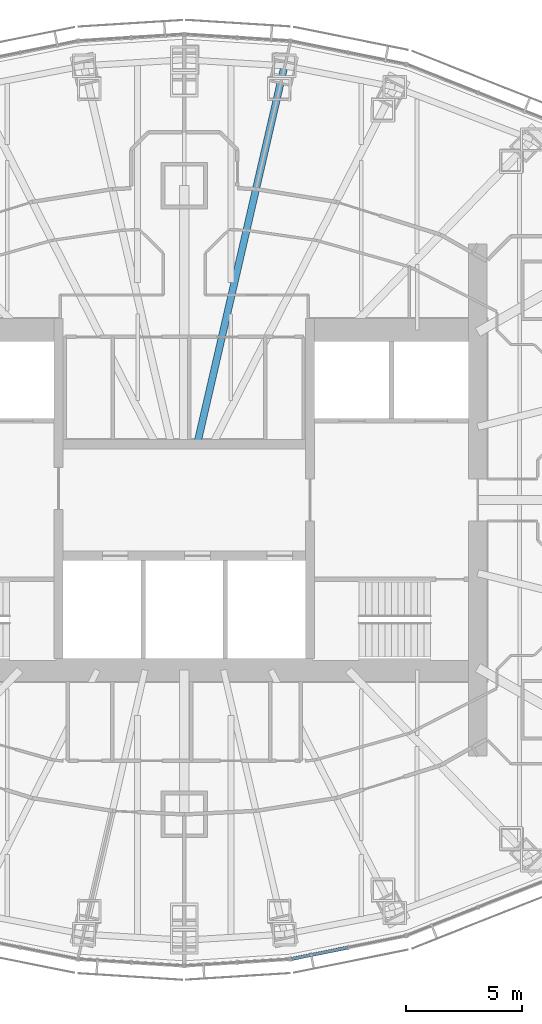
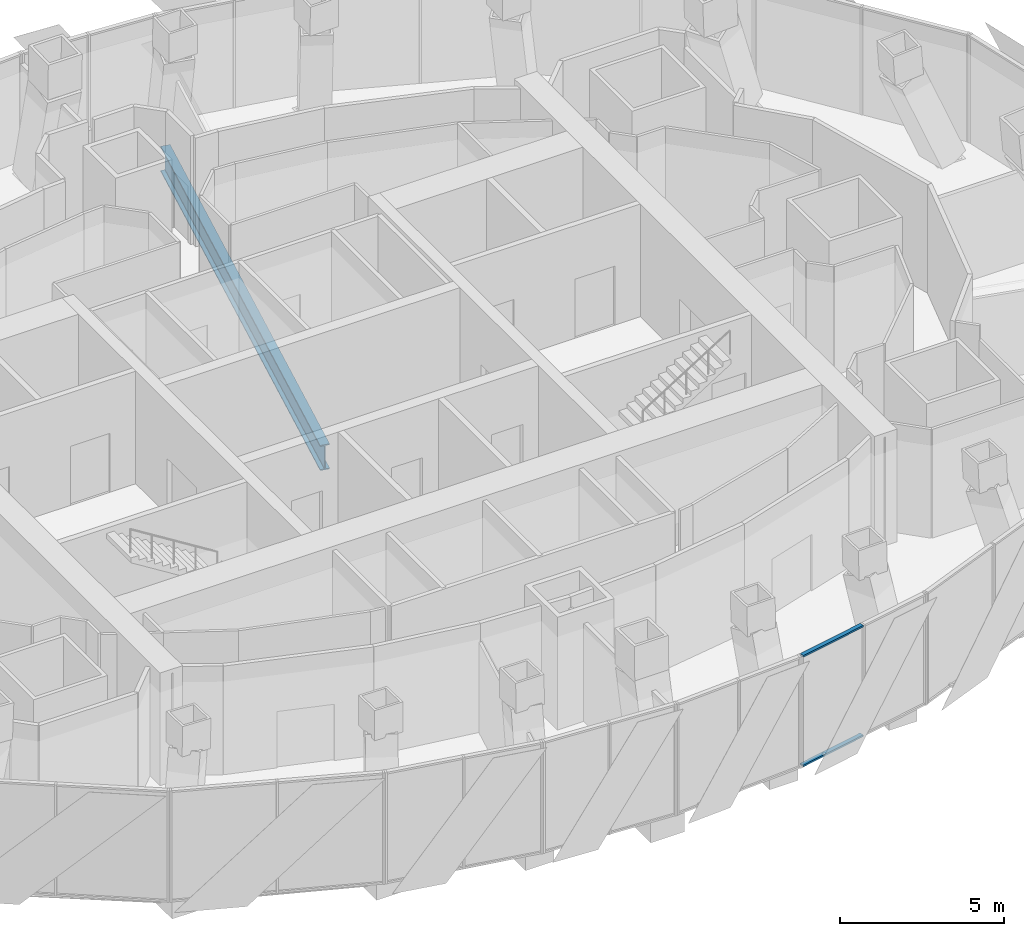
# One storey, part 5 of 18: 2 members, 1 beam, 1 element without a shape of its own.
"""IFC4 building model written with IfcOpenShell, lengths in metres."""

from ifc_helpers import new_model, si_unit, direction, frame, origin, origin_2d, place, context, subcontext, project, spatial, rectangle, i_section, extrude, material, material_profile, profile_set, type_object, element, aggregate, save


model = new_model("IFC4")

# Units and contexts
model_context = context("Model", 3, precision=1e-05, world=origin(), true_north=direction((0.0, 1.0)))
body_context = subcontext(model_context, "Body", "Model", "MODEL_VIEW")
ifc_project = project(units=[si_unit("LENGTHUNIT", "METRE"), si_unit("AREAUNIT", "SQUARE_METRE"), si_unit("VOLUMEUNIT", "CUBIC_METRE"), si_unit("PLANEANGLEUNIT", "RADIAN"), si_unit("MASSUNIT", "GRAM", prefix="KILO")], contexts=[model_context])

# Site, building, storey
site_placement = place(None, origin())
site = spatial("IfcSite", under=ifc_project, at=site_placement, CompositionType="ELEMENT")
building_placement = place(site_placement, origin())
building = spatial("IfcBuilding", under=site, at=building_placement, Name="Lantaw Convention Tower", CompositionType="ELEMENT")
storey_placement = place(building_placement, frame((0.0, 0.0, 266.199951171875)))
storey = spatial("IfcBuildingStorey", under=building, at=storey_placement, Name="L62", CompositionType="ELEMENT", Elevation=266.199951171875)

# Beam
ifc_material_1 = material(Name="Steel ASTM A992", Category="steel")
ifc_material_profile_1 = material_profile(ifc_material_1, i_section(OverallWidth=0.307373046875, OverallDepth=0.9423828125, WebThickness=0.022216796875, FlangeThickness=0.039794921875, FilletRadius=0.0126953125, at=origin_2d()), Name="W36X232")
ifc_profile_set_1 = profile_set([ifc_material_profile_1], Name="Steel ASTM A992")
beam_type = type_object("IfcBeamType", Name="Beam G W36X232", PredefinedType="BEAM", material=ifc_profile_set_1)
beam_placement = place(storey_placement, frame((0.55419921875, 2.39990234375, -0.62109375), z_axis=(0.224948287002, 0.974370703672, 0.0), x_axis=(-0.974370703672, 0.224948287002, 0.0)))
element("IfcBeam", 1, at=beam_placement, inside=storey, type_object=beam_type, Name="Floor girder on ray 6", PredefinedType="BEAM", context=body_context, shape_type="SweptSolid", body=[
    extrude(i_section(OverallWidth=0.307373046875, OverallDepth=0.9423828125, WebThickness=0.022216796875, FlangeThickness=0.039794921875, FilletRadius=0.0126953125, at=origin_2d()), origin(), (0.0, 0.0, 1.0), 16.66943359375),
])

# Curtain wall, members
ifc_material_2 = material(Name="Aluminium framed curtain wall", Category="aluminium")
curtain_wall_type = type_object("IfcCurtainWallType", Name="Office curtain wall high rise, pale aluminium", PredefinedType="USERDEFINED", material=ifc_material_2)
curtain_wall_placement = place(storey_placement, origin())
curtain_wall = element("IfcCurtainWall", 2, at=curtain_wall_placement, inside=storey, type_object=curtain_wall_type, Name="Office curtain wall high rise, pale aluminium L62", ObjectType="UNITISED CURTAIN WALL", PredefinedType="USERDEFINED")
ifc_material_3 = material(Name="Aluminium 6063-T6", Category="aluminium")
ifc_material_profile_2 = material_profile(ifc_material_3, rectangle(XDim=0.14990234375, YDim=0.06494140625, at=origin_2d()), Name="CW-O2 transom 65x150")
ifc_profile_set_2 = profile_set([ifc_material_profile_2], Name="Aluminium 6063-T6")
member_type = type_object("IfcMemberType", Name="CW-O2 transom 65x150", PredefinedType="USERDEFINED", material=ifc_profile_set_2)
member_1_placement = place(storey_placement, frame((4.614990234375, -19.700927734375, -0.117431640625), z_axis=(0.980380354178, 0.197115096178, 0.0), x_axis=(-0.197115096178, 0.980380354178, 0.0)))
member_1 = element("IfcMember", 3, at=member_1_placement, type_object=member_type, Name="CW-O2 transom 1.1", ObjectType="TRANSOM", PredefinedType="USERDEFINED", context=body_context, shape_type="SweptSolid", body=[
    extrude(rectangle(XDim=0.14990234375, YDim=0.06494140625, at=origin_2d()), origin(), (0.0, 0.0, 1.0), 2.443603515625),
])
member_2_placement = place(storey_placement, frame((4.614990234375, -19.700927734375, 3.967529296875), z_axis=(0.980380354178, 0.197115096178, 0.0), x_axis=(-0.197115096178, 0.980380354178, 0.0)))
member_2 = element("IfcMember", 4, at=member_2_placement, type_object=member_type, Name="CW-O2 transom 1.2", ObjectType="TRANSOM", PredefinedType="USERDEFINED", context=body_context, shape_type="SweptSolid", body=[
    extrude(rectangle(XDim=0.14990234375, YDim=0.06494140625, at=origin_2d()), origin(), (0.0, 0.0, 1.0), 2.443603515625),
])
aggregate(curtain_wall, [member_1, member_2])

save(model, "model.ifc")
